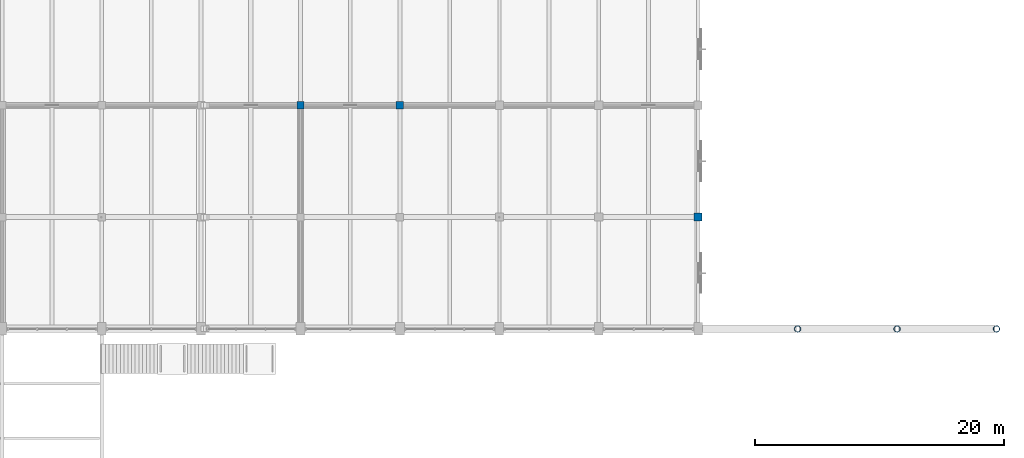
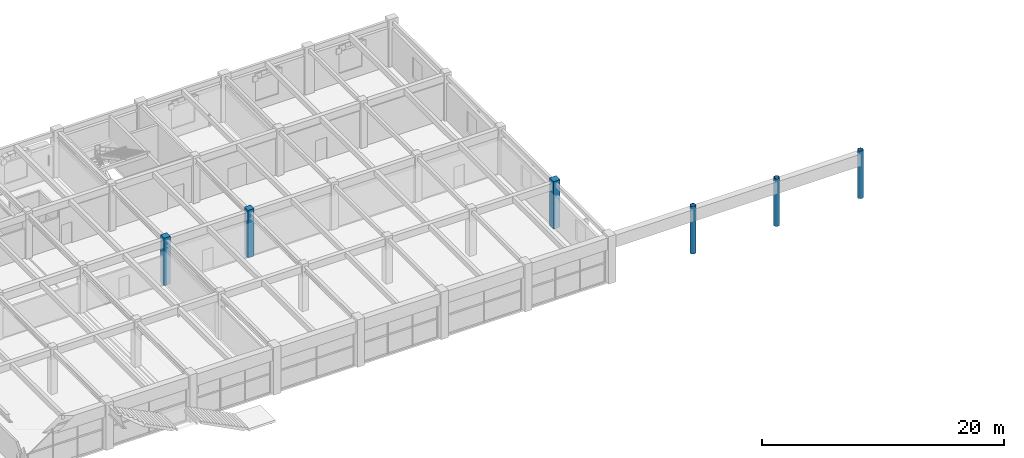
# One storey, part 6 of 144: 6 columns.
"""IFC4 building model written with IfcOpenShell, lengths in metres."""

from ifc_helpers import new_model, si_unit, direction, frame, origin, origin_2d, place, context, subcontext, project, spatial, rectangle, hollow_circle, extrude, material, material_profile, profile_set, type_object, element, save


model = new_model("IFC4")

# Units and contexts
model_context = context("Model", 3, precision=1e-05, world=origin(), true_north=direction((0.0, 1.0)))
body_context = subcontext(model_context, "Body", "Model", "MODEL_VIEW")
ifc_project = project(units=[si_unit("LENGTHUNIT", "METRE"), si_unit("AREAUNIT", "SQUARE_METRE"), si_unit("VOLUMEUNIT", "CUBIC_METRE"), si_unit("PLANEANGLEUNIT", "RADIAN"), si_unit("MASSUNIT", "GRAM", prefix="KILO")], contexts=[model_context])

# Site, building, storey
site_placement = place(None, origin())
site = spatial("IfcSite", under=ifc_project, at=site_placement, CompositionType="ELEMENT")
building_placement = place(site_placement, origin())
building = spatial("IfcBuilding", under=site, at=building_placement, Name="Varnabhumi Central Station", CompositionType="ELEMENT")
storey_placement = place(building_placement, frame((0.0, 0.0, 4.800048828125)))
storey = spatial("IfcBuildingStorey", under=building, at=storey_placement, Name="L01", CompositionType="ELEMENT", Elevation=4.800048828125)

# Columns
ifc_material_1 = material(Name="Structural steel E350", Category="steel")
ifc_material_profile_1 = material_profile(ifc_material_1, hollow_circle(Radius=0.25390625, WallThickness=0.02001953125, at=origin_2d()), Name="Structural steel E350", Category="steel")
ifc_profile_set_1 = profile_set([ifc_material_profile_1], Name="Structural steel E350")
column_type_1 = type_object("IfcColumnType", Name="COL-MAST-CHS508", PredefinedType="COLUMN", material=ifc_profile_set_1)
for number, where, z_axis, x_axis, name in (
    (1, (168.0, 80.0, 0.0), (0.0, 0.0, 1.0), (1.0, 0.0, 0.0), "Column L01-22K"),
    (2, (176.0, 80.0, 0.0), (0.0, 0.0, 1.0), (1.0, 0.0, 0.0), "Column L01-23K"),
    (3, (184.0, 80.0, 0.0), (0.0, 0.0, 1.0), (1.0, 0.0, 0.0), "Column L01-24K"),
):
    element("IfcColumn", number, at=place(storey_placement, frame(where, z_axis=z_axis, x_axis=x_axis)), inside=storey, type_object=column_type_1, Name=name, PredefinedType="COLUMN", context=body_context, shape_type="SweptSolid", body=[
        extrude(hollow_circle(Radius=0.25390625, WallThickness=0.02001953125, at=origin_2d()), origin(), (0.0, 0.0, 1.0), 4.800048828125),
    ])
ifc_material_2 = material(Name="Concrete M40", Category="concrete")
ifc_material_profile_2 = material_profile(ifc_material_2, rectangle(XDim=0.60009765625, YDim=0.60009765625, at=origin_2d()), Name="Concrete M40", Category="concrete")
ifc_profile_set_2 = profile_set([ifc_material_profile_2], Name="Concrete M40")
column_type_2 = type_object("IfcColumnType", Name="COL-NORTH-600", PredefinedType="COLUMN", material=ifc_profile_set_2)
for number, where, z_axis, x_axis, name in (
    (4, (128.0, 98.0, 0.0), (0.0, 0.0, 1.0), (1.0, 0.0, 0.0), "Column L01-17M"),
    (5, (136.0, 98.0, 0.0), (0.0, 0.0, 1.0), (1.0, 0.0, 0.0), "Column L01-18M"),
):
    element("IfcColumn", number, at=place(storey_placement, frame(where, z_axis=z_axis, x_axis=x_axis)), inside=storey, type_object=column_type_2, Name=name, PredefinedType="COLUMN", context=body_context, shape_type="SweptSolid", body=[
        extrude(rectangle(XDim=0.60009765625, YDim=0.60009765625, at=origin_2d()), origin(), (0.0, 0.0, 1.0), 4.800048828125),
    ])
ifc_material_profile_3 = material_profile(ifc_material_2, rectangle(XDim=0.64990234375, YDim=0.64990234375, at=origin_2d()), Name="Concrete M40", Category="concrete")
ifc_profile_set_3 = profile_set([ifc_material_profile_3], Name="Concrete M40")
column_type_3 = type_object("IfcColumnType", Name="COL-RC-650", PredefinedType="COLUMN", material=ifc_profile_set_3)
column_placement = place(storey_placement, frame((160.0, 89.0, 0.0), z_axis=(0.0, 0.0, 1.0), x_axis=(1.0, 0.0, 0.0)))
element("IfcColumn", 6, at=column_placement, inside=storey, type_object=column_type_3, Name="Column L01-21L", PredefinedType="COLUMN", context=body_context, shape_type="SweptSolid", body=[
    extrude(rectangle(XDim=0.64990234375, YDim=0.64990234375, at=origin_2d()), origin(), (0.0, 0.0, 1.0), 4.800048828125),
])

save(model, "model.ifc")
